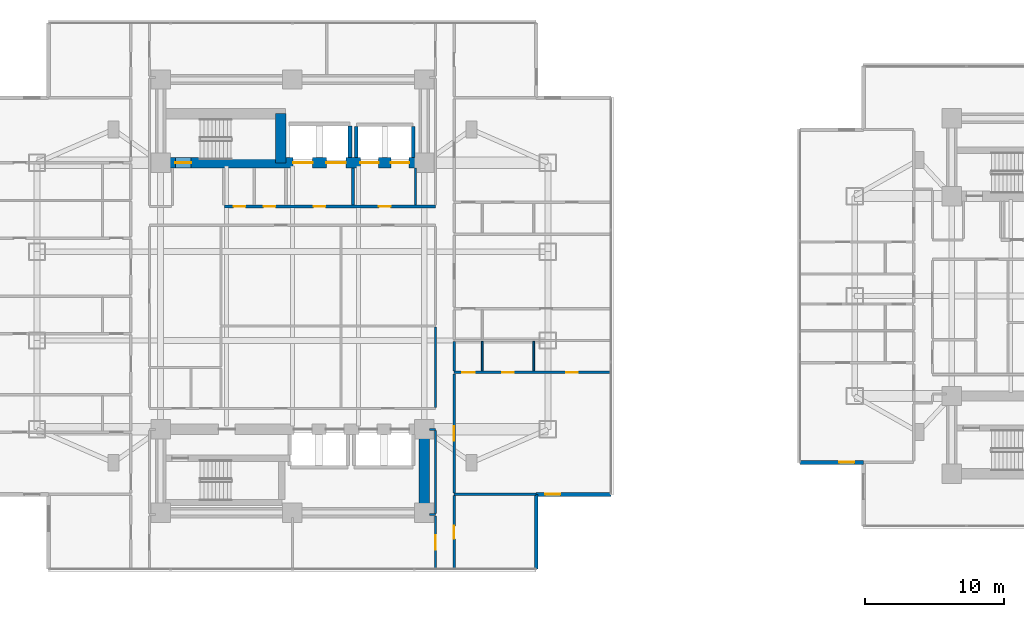
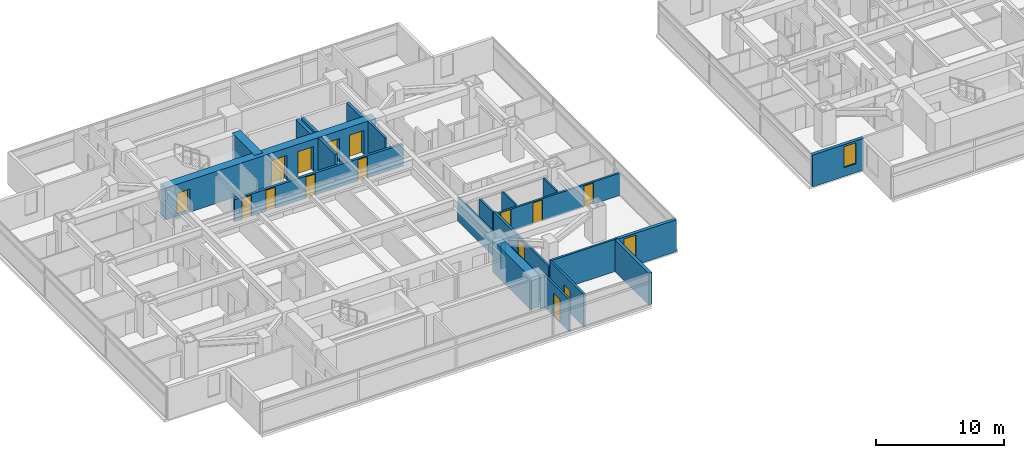
# One storey, part 16 of 26: 24 walls, 15 doors, 2 windows, 17 openings.
"""IFC4 building model written with IfcOpenShell, lengths in metres."""

from ifc_helpers import new_model, si_unit, direction, frame, frame_2d, origin, place, context, subcontext, project, spatial, rectangle, extrude, material, layer, layer_set, type_object, element, fill, save


model = new_model("IFC4")

# Units and contexts
model_context = context("Model", 3, precision=1e-05, world=origin(), true_north=direction((0.0, 1.0)))
body_context = subcontext(model_context, "Body", "Model", "MODEL_VIEW")
ifc_project = project(units=[si_unit("LENGTHUNIT", "METRE"), si_unit("AREAUNIT", "SQUARE_METRE"), si_unit("VOLUMEUNIT", "CUBIC_METRE"), si_unit("PLANEANGLEUNIT", "RADIAN"), si_unit("MASSUNIT", "GRAM", prefix="KILO")], contexts=[model_context])

# Site, building, storey
site_placement = place(None, origin())
site = spatial("IfcSite", under=ifc_project, at=site_placement, CompositionType="ELEMENT")
building_placement = place(site_placement, origin())
building = spatial("IfcBuilding", under=site, at=building_placement, Name="Mirazonda Arch Towers", CompositionType="ELEMENT")
storey_placement = place(building_placement, frame((0.0, 0.0, 45.5)))
storey = spatial("IfcBuildingStorey", under=building, at=storey_placement, Name="L12", CompositionType="ELEMENT", Elevation=45.5)

# Wall, openings, doors
ifc_material_1 = material(Name="Concrete C60/75", Category="concrete")
ifc_layer_1 = layer(ifc_material_1, 0.75, Name="WALL-CORE-750")
ifc_layer_set_1 = layer_set([ifc_layer_1], Name="Concrete C60/75")
wall_type_1 = type_object("IfcWallType", Name="WALL-CORE-750", PredefinedType="SHEAR", material=ifc_layer_set_1)
wall_1_placement = place(storey_placement, frame((11.0, 37.60009765625, 0.0), z_axis=(0.0, 0.0, 1.0), x_axis=(1.0, 0.0, 0.0)))
wall_1 = element("IfcWall", 1, at=wall_1_placement, inside=storey, type_object=wall_type_1, Name="L12 T1N-S Core Shear Wall", PredefinedType="SHEAR", context=body_context, shape_type="SweptSolid", body=[
    extrude(rectangle(XDim=19.0, YDim=0.75, at=frame_2d((9.5, 0.0))), origin(), (0.0, 0.0, 1.0), 3.06005859375),
])
opening_1_placement = place(wall_1_placement, frame((1.06005859375, 0.0, 0.0)))
opening_1 = element("IfcOpeningElement", 2, at=opening_1_placement, cuts=wall_1, Name="Opening DR-135", PredefinedType="OPENING", context=body_context, shape_type="SweptSolid", body=[
    extrude(rectangle(XDim=1.14990234375, YDim=2.199951171875, at=frame_2d((0.574951171875, 1.10009765625))), frame((0.0, 0.385009765625, 0.0), z_axis=(0.0, -1.0, 0.0), x_axis=(1.0, 0.0, 0.0)), (0.0, 0.0, 1.0), 0.77001953125),
])
opening_2_placement = place(wall_1_placement, frame((9.550048828125, 0.0, 0.0)))
opening_2 = element("IfcOpeningElement", 3, at=opening_2_placement, cuts=wall_1, Name="Opening LD-112", PredefinedType="OPENING", context=body_context, shape_type="SweptSolid", body=[
    extrude(rectangle(XDim=1.39990234375, YDim=2.35009765625, at=frame_2d((0.699951171875, 1.175048828125))), frame((0.0, 0.385009765625, 0.0), z_axis=(0.0, -1.0, 0.0), x_axis=(1.0, 0.0, 0.0)), (0.0, 0.0, 1.0), 0.77001953125),
])
opening_3_placement = place(wall_1_placement, frame((11.949951171875, 0.0, 0.0)))
opening_3 = element("IfcOpeningElement", 4, at=opening_3_placement, cuts=wall_1, Name="Opening LD-112", PredefinedType="OPENING", context=body_context, shape_type="SweptSolid", body=[
    extrude(rectangle(XDim=1.39990234375, YDim=2.35009765625, at=frame_2d((0.699951171875, 1.175048828125))), frame((0.0, 0.385009765625, 0.0), z_axis=(0.0, -1.0, 0.0), x_axis=(1.0, 0.0, 0.0)), (0.0, 0.0, 1.0), 0.77001953125),
])
opening_4_placement = place(wall_1_placement, frame((14.39990234375, 0.0, 0.0)))
opening_4 = element("IfcOpeningElement", 5, at=opening_4_placement, cuts=wall_1, Name="Opening LD-111", PredefinedType="OPENING", context=body_context, shape_type="SweptSolid", body=[
    extrude(rectangle(XDim=1.300048828125, YDim=2.300048828125, at=frame_2d((0.64990234375, 1.14990234375))), frame((0.0, 0.385009765625, 0.0), z_axis=(0.0, -1.0, 0.0), x_axis=(1.0, 0.0, 0.0)), (0.0, 0.0, 1.0), 0.77001953125),
])
opening_5_placement = place(wall_1_placement, frame((16.60009765625, 0.0, 0.0)))
opening_5 = element("IfcOpeningElement", 6, at=opening_5_placement, cuts=wall_1, Name="Opening LD-111", PredefinedType="OPENING", context=body_context, shape_type="SweptSolid", body=[
    extrude(rectangle(XDim=1.300048828125, YDim=2.300048828125, at=frame_2d((0.64990234375, 1.14990234375))), frame((0.0, 0.385009765625, 0.0), z_axis=(0.0, -1.0, 0.0), x_axis=(1.0, 0.0, 0.0)), (0.0, 0.0, 1.0), 0.77001953125),
])
ifc_material_2 = material(Name="Architectural Brushed Steel S355", Category="steel")
door_type_1 = type_object("IfcDoorType", Name="DOOR-LIFT-FFL-1400", OperationType="NOTDEFINED", PredefinedType="DOOR", material=ifc_material_2)
door_1_placement = place(opening_2_placement, origin())
door_1 = element("IfcDoor", 7, at=door_1_placement, inside=storey, type_object=door_type_1, Name="L12 Lift Landing Sliding Door FFL-T1", OperationType="DOUBLE_DOOR_SLIDING", OverallHeight=2.35009765625, OverallWidth=1.39990234375, PredefinedType="DOOR", context=body_context, shape_type="SweptSolid", body=[
    extrude(rectangle(XDim=1.39990234375, YDim=2.35009765625, at=frame_2d((0.699951171875, 1.175048828125))), frame((0.0, 0.02490234375, 0.0), z_axis=(0.0, -1.0, 0.0), x_axis=(1.0, 0.0, 0.0)), (0.0, 0.0, 1.0), 0.050048828125),
])
fill(opening_2, door_1)
door_2_placement = place(opening_3_placement, origin())
door_2 = element("IfcDoor", 8, at=door_2_placement, inside=storey, type_object=door_type_1, Name="L12 Lift Landing Sliding Door SVL-T1", OperationType="DOUBLE_DOOR_SLIDING", OverallHeight=2.35009765625, OverallWidth=1.39990234375, PredefinedType="DOOR", context=body_context, shape_type="SweptSolid", body=[
    extrude(rectangle(XDim=1.39990234375, YDim=2.35009765625, at=frame_2d((0.699951171875, 1.175048828125))), frame((0.0, 0.02490234375, 0.0), z_axis=(0.0, -1.0, 0.0), x_axis=(1.0, 0.0, 0.0)), (0.0, 0.0, 1.0), 0.050048828125),
])
fill(opening_3, door_2)
door_type_2 = type_object("IfcDoorType", Name="DOOR-LIFT-LAND-1300", OperationType="NOTDEFINED", PredefinedType="DOOR", material=ifc_material_2)
door_3_placement = place(opening_4_placement, origin())
door_3 = element("IfcDoor", 9, at=door_3_placement, inside=storey, type_object=door_type_2, Name="L12 Lift Landing Sliding Door PL-T1L1", OperationType="DOUBLE_DOOR_SLIDING", OverallHeight=2.300048828125, OverallWidth=1.300048828125, PredefinedType="DOOR", context=body_context, shape_type="SweptSolid", body=[
    extrude(rectangle(XDim=1.300048828125, YDim=2.300048828125, at=frame_2d((0.64990234375, 1.14990234375))), frame((0.0, 0.02490234375, 0.0), z_axis=(0.0, -1.0, 0.0), x_axis=(1.0, 0.0, 0.0)), (0.0, 0.0, 1.0), 0.050048828125),
])
fill(opening_4, door_3)
door_4_placement = place(opening_5_placement, origin())
door_4 = element("IfcDoor", 10, at=door_4_placement, inside=storey, type_object=door_type_2, Name="L12 Lift Landing Sliding Door PL-T1L2", OperationType="DOUBLE_DOOR_SLIDING", OverallHeight=2.300048828125, OverallWidth=1.300048828125, PredefinedType="DOOR", context=body_context, shape_type="SweptSolid", body=[
    extrude(rectangle(XDim=1.300048828125, YDim=2.300048828125, at=frame_2d((0.64990234375, 1.14990234375))), frame((0.0, 0.02490234375, 0.0), z_axis=(0.0, -1.0, 0.0), x_axis=(1.0, 0.0, 0.0)), (0.0, 0.0, 1.0), 0.050048828125),
])
fill(opening_5, door_4)
door_type_3 = type_object("IfcDoorType", Name="DOOR-STAIR-FD90-1150", OperationType="NOTDEFINED", PredefinedType="DOOR", material=ifc_material_2)
door_5_placement = place(opening_1_placement, origin())
door_5 = element("IfcDoor", 11, at=door_5_placement, inside=storey, type_object=door_type_3, Name="L12 Protected Exit Stair North Door", OperationType="SINGLE_SWING_RIGHT", OverallHeight=2.199951171875, OverallWidth=1.14990234375, PredefinedType="DOOR", context=body_context, shape_type="SweptSolid", body=[
    extrude(rectangle(XDim=1.14990234375, YDim=2.199951171875, at=frame_2d((0.574951171875, 1.10009765625))), frame((0.0, 0.02490234375, 0.0), z_axis=(0.0, -1.0, 0.0), x_axis=(1.0, 0.0, 0.0)), (0.0, 0.0, 1.0), 0.050048828125),
])
fill(opening_1, door_5)

# Walls
wall_2_placement = place(storey_placement, frame((19.64990234375, 37.60009765625, 0.0), z_axis=(0.0, 0.0, 1.0), x_axis=(0.0, 1.0, 0.0)))
element("IfcWall", 12, at=wall_2_placement, inside=storey, type_object=wall_type_1, Name="L12 T1N-STE Core Shear Wall", PredefinedType="SHEAR", context=body_context, shape_type="SweptSolid", body=[
    extrude(rectangle(XDim=3.54296875, YDim=0.75, at=frame_2d((1.771484375, 0.0))), origin(), (0.0, 0.0, 1.0), 3.06005859375),
])
wall_3_placement = place(storey_placement, frame((30.0, 12.39990234375, 0.0), z_axis=(0.0, 0.0, 1.0), x_axis=(0.0, 1.0, 0.0)))
element("IfcWall", 13, at=wall_3_placement, inside=storey, type_object=wall_type_1, Name="L12 T1S-E Core Shear Wall", PredefinedType="SHEAR", context=body_context, shape_type="SweptSolid", body=[
    extrude(rectangle(XDim=6.0, YDim=0.75, at=frame_2d((3.0, 0.0))), origin(), (0.0, 0.0, 1.0), 3.06005859375),
])

# Wall, opening, window
ifc_material_3 = material(Name="Precast Concrete C40/50", Category="concrete")
ifc_layer_2 = layer(ifc_material_3, 0.280029296875, Name="WALL-EXT-WALL-280")
ifc_layer_set_2 = layer_set([ifc_layer_2], Name="Precast Concrete C40/50")
wall_type_2 = type_object("IfcWallType", Name="WALL-EXT-WALL-280", PredefinedType="SOLIDWALL", material=ifc_layer_set_2)
wall_4_placement = place(storey_placement, frame((38.06005859375, 13.714111328125, 0.0), z_axis=(0.0, 0.0, 1.0), x_axis=(1.0, 0.0, 0.0)))
wall_4 = element("IfcWall", 14, at=wall_4_placement, inside=storey, type_object=wall_type_2, Name="L12 T1 Corner Notch Return Wall WL-L12-T1-CSE1", PredefinedType="SOLIDWALL", context=body_context, shape_type="SweptSolid", body=[
    extrude(rectangle(XDim=5.3798828125, YDim=0.280029296875, at=frame_2d((2.68994140625, 0.0))), origin(), (0.0, 0.0, 1.0), 3.0400390625),
])
opening_6_placement = place(wall_4_placement, frame((0.64990234375, 0.0, 0.85009765625)))
opening_6 = element("IfcOpeningElement", 15, at=opening_6_placement, cuts=wall_4, Name="Opening WN-108", PredefinedType="OPENING", context=body_context, shape_type="SweptSolid", body=[
    extrude(rectangle(XDim=1.10009765625, YDim=2.0, at=frame_2d((0.550048828125, 1.0))), frame((0.0, 0.14990234375, 0.0), z_axis=(0.0, -1.0, 0.0), x_axis=(1.0, 0.0, 0.0)), (0.0, 0.0, 1.0), 0.300048828125),
])
ifc_material_4 = material(Name="Insulated Low-E Solar Glass", Category="glass")
window_type = type_object("IfcWindowType", Name="WIN-NOTCH-1100x2000", PartitioningType="SINGLE_PANEL", PredefinedType="WINDOW", material=ifc_material_4)
window_1_placement = place(opening_6_placement, origin())
window_1 = element("IfcWindow", 16, at=window_1_placement, inside=storey, type_object=window_type, Name="L12 Punched Facade Window WN-L12-T1-CSE1", OverallHeight=2.0, OverallWidth=1.10009765625, PartitioningType="SINGLE_PANEL", PredefinedType="WINDOW", context=body_context, shape_type="SweptSolid", body=[
    extrude(rectangle(XDim=1.10009765625, YDim=2.0, at=frame_2d((0.550048828125, 1.0))), frame((0.0, 0.030029296875, 0.0), z_axis=(0.0, -1.0, 0.0), x_axis=(1.0, 0.0, 0.0)), (0.0, 0.0, 1.0), 0.06005859375),
])
fill(opening_6, window_1)

# Wall
wall_5_placement = place(storey_placement, frame((38.06005859375, 8.333984375, 0.0), z_axis=(0.0, 0.0, 1.0), x_axis=(0.0, 1.0, 0.0)))
element("IfcWall", 17, at=wall_5_placement, inside=storey, type_object=wall_type_2, Name="L12 T1 Corner Notch Return Wall WL-L12-T1-CSE2", PredefinedType="SOLIDWALL", context=body_context, shape_type="SweptSolid", body=[
    extrude(rectangle(XDim=5.380126953125, YDim=0.280029296875, at=frame_2d((2.68994140625, 0.0))), origin(), (0.0, 0.0, 1.0), 3.0400390625),
])

# Wall, opening, window
wall_6_placement = place(storey_placement, frame((57.053955078125, 16.016845703125, 0.0), z_axis=(0.0, 0.0, 1.0), x_axis=(1.0, 0.0, 0.0)))
wall_6 = element("IfcWall", 18, at=wall_6_placement, inside=storey, type_object=wall_type_2, Name="L12 T2 Corner Notch Return Wall WL-L12-T2-CSW2", PredefinedType="SOLIDWALL", context=body_context, shape_type="SweptSolid", body=[
    extrude(rectangle(XDim=4.580078125, YDim=0.280029296875, at=frame_2d((2.2900390625, 0.0))), origin(), (0.0, 0.0, 1.0), 3.0400390625),
])
opening_7_placement = place(wall_6_placement, frame((2.830078125, 0.0, 0.85009765625)))
opening_7 = element("IfcOpeningElement", 19, at=opening_7_placement, cuts=wall_6, Name="Opening WN-108", PredefinedType="OPENING", context=body_context, shape_type="SweptSolid", body=[
    extrude(rectangle(XDim=1.10009765625, YDim=2.0, at=frame_2d((0.550048828125, 1.0))), frame((0.0, 0.14990234375, 0.0), z_axis=(0.0, -1.0, 0.0), x_axis=(1.0, 0.0, 0.0)), (0.0, 0.0, 1.0), 0.300048828125),
])
window_2_placement = place(opening_7_placement, origin())
window_2 = element("IfcWindow", 20, at=window_2_placement, inside=storey, type_object=window_type, Name="L12 Punched Facade Window WN-L12-T2-CSW2", OverallHeight=2.0, OverallWidth=1.10009765625, PartitioningType="SINGLE_PANEL", PredefinedType="WINDOW", context=body_context, shape_type="SweptSolid", body=[
    extrude(rectangle(XDim=1.10009765625, YDim=2.0, at=frame_2d((0.550048828125, 1.0))), frame((0.0, 0.030029296875, 0.0), z_axis=(0.0, -1.0, 0.0), x_axis=(1.0, 0.0, 0.0)), (0.0, 0.0, 1.0), 0.06005859375),
])
fill(opening_7, window_2)

# Wall, openings, doors
ifc_material_5 = material(Name="Concrete C40/50", Category="concrete")
ifc_layer_3 = layer(ifc_material_5, 0.219970703125, Name="WALL-FFL-220")
ifc_layer_set_3 = layer_set([ifc_layer_3], Name="Concrete C40/50")
wall_type_3 = type_object("IfcWallType", Name="WALL-FFL-220", PredefinedType="SOLIDWALL", material=ifc_layer_set_3)
wall_7_placement = place(storey_placement, frame((15.590087890625, 34.449951171875, 0.0), z_axis=(0.0, 0.0, 1.0), x_axis=(1.0, 0.0, 0.0)))
wall_7 = element("IfcWall", 21, at=wall_7_placement, inside=storey, type_object=wall_type_3, Name="L12 Interior Partition 047", PredefinedType="SOLIDWALL", context=body_context, shape_type="SweptSolid", body=[
    extrude(rectangle(XDim=15.2099609375, YDim=0.219970703125, at=frame_2d((7.60498046875, 0.0))), origin(), (0.0, 0.0, 1.0), 2.10400390625),
])
opening_8_placement = place(wall_7_placement, frame((6.43505859375, 0.0, 0.0)))
opening_8 = element("IfcOpeningElement", 22, at=opening_8_placement, cuts=wall_7, Name="Opening DR-128", PredefinedType="OPENING", context=body_context, shape_type="SweptSolid", body=[
    extrude(rectangle(XDim=0.85009765625, YDim=2.010009765625, at=frame_2d((0.425048828125, 1.0048828125))), frame((0.0, 0.119873046875, 0.0), z_axis=(0.0, -1.0, 0.0), x_axis=(1.0, 0.0, 0.0)), (0.0, 0.0, 1.0), 0.239990234375),
])
opening_9_placement = place(wall_7_placement, frame((11.135009765625, 0.0, 0.0)))
opening_9 = element("IfcOpeningElement", 23, at=opening_9_placement, cuts=wall_7, Name="Opening DR-128", PredefinedType="OPENING", context=body_context, shape_type="SweptSolid", body=[
    extrude(rectangle(XDim=0.85009765625, YDim=2.010009765625, at=frame_2d((0.425048828125, 1.0048828125))), frame((0.0, 0.119873046875, 0.0), z_axis=(0.0, -1.0, 0.0), x_axis=(1.0, 0.0, 0.0)), (0.0, 0.0, 1.0), 0.239990234375),
])
opening_10_placement = place(wall_7_placement, frame((0.675048828125, 0.0, 0.0)))
opening_10 = element("IfcOpeningElement", 24, at=opening_10_placement, cuts=wall_7, Name="Opening DR-128", PredefinedType="OPENING", context=body_context, shape_type="SweptSolid", body=[
    extrude(rectangle(XDim=0.85009765625, YDim=2.010009765625, at=frame_2d((0.425048828125, 1.0048828125))), frame((0.0, 0.119873046875, 0.0), z_axis=(0.0, -1.0, 0.0), x_axis=(1.0, 0.0, 0.0)), (0.0, 0.0, 1.0), 0.239990234375),
])
opening_11_placement = place(wall_7_placement, frame((2.8349609375, 0.0, 0.0)))
opening_11 = element("IfcOpeningElement", 25, at=opening_11_placement, cuts=wall_7, Name="Opening DR-128", PredefinedType="OPENING", context=body_context, shape_type="SweptSolid", body=[
    extrude(rectangle(XDim=0.85009765625, YDim=2.010009765625, at=frame_2d((0.425048828125, 1.0048828125))), frame((0.0, 0.119873046875, 0.0), z_axis=(0.0, -1.0, 0.0), x_axis=(1.0, 0.0, 0.0)), (0.0, 0.0, 1.0), 0.239990234375),
])
door_type_4 = type_object("IfcDoorType", Name="DOOR-RISER-FD60-850", OperationType="NOTDEFINED", PredefinedType="DOOR", material=ifc_material_2)
door_6_placement = place(opening_8_placement, origin())
door_6 = element("IfcDoor", 26, at=door_6_placement, inside=storey, type_object=door_type_4, Name="L12 Firefighting Lift Lobby Door", OperationType="SINGLE_SWING_LEFT", OverallHeight=2.010009765625, OverallWidth=0.85009765625, PredefinedType="DOOR", context=body_context, shape_type="SweptSolid", body=[
    extrude(rectangle(XDim=0.85009765625, YDim=2.010009765625, at=frame_2d((0.425048828125, 1.0048828125))), frame((0.0, 0.02490234375, 0.0), z_axis=(0.0, -1.0, 0.0), x_axis=(1.0, 0.0, 0.0)), (0.0, 0.0, 1.0), 0.050048828125),
])
fill(opening_8, door_6)
door_7_placement = place(opening_9_placement, origin())
door_7 = element("IfcDoor", 27, at=door_7_placement, inside=storey, type_object=door_type_4, Name="L12 Passenger Lift Lobby North Door", OperationType="SINGLE_SWING_RIGHT", OverallHeight=2.010009765625, OverallWidth=0.85009765625, PredefinedType="DOOR", context=body_context, shape_type="SweptSolid", body=[
    extrude(rectangle(XDim=0.85009765625, YDim=2.010009765625, at=frame_2d((0.425048828125, 1.0048828125))), frame((0.0, 0.02490234375, 0.0), z_axis=(0.0, -1.0, 0.0), x_axis=(1.0, 0.0, 0.0)), (0.0, 0.0, 1.0), 0.050048828125),
])
fill(opening_9, door_7)
door_8_placement = place(opening_10_placement, origin())
door_8 = element("IfcDoor", 28, at=door_8_placement, inside=storey, type_object=door_type_4, Name="L12 Electrical Room Door", OperationType="SINGLE_SWING_LEFT", OverallHeight=2.010009765625, OverallWidth=0.85009765625, PredefinedType="DOOR", context=body_context, shape_type="SweptSolid", body=[
    extrude(rectangle(XDim=0.85009765625, YDim=2.010009765625, at=frame_2d((0.425048828125, 1.0048828125))), frame((0.0, 0.02490234375, 0.0), z_axis=(0.0, -1.0, 0.0), x_axis=(1.0, 0.0, 0.0)), (0.0, 0.0, 1.0), 0.050048828125),
])
fill(opening_10, door_8)
door_9_placement = place(opening_11_placement, origin())
door_9 = element("IfcDoor", 29, at=door_9_placement, inside=storey, type_object=door_type_4, Name="L12 Cleaners & Housekeeping Store Door", OperationType="SINGLE_SWING_RIGHT", OverallHeight=2.010009765625, OverallWidth=0.85009765625, PredefinedType="DOOR", context=body_context, shape_type="SweptSolid", body=[
    extrude(rectangle(XDim=0.85009765625, YDim=2.010009765625, at=frame_2d((0.425048828125, 1.0048828125))), frame((0.0, 0.02490234375, 0.0), z_axis=(0.0, -1.0, 0.0), x_axis=(1.0, 0.0, 0.0)), (0.0, 0.0, 1.0), 0.050048828125),
])
fill(opening_11, door_9)

# Walls
wall_8_placement = place(storey_placement, frame((24.875, 34.570068359375, 0.0), z_axis=(0.0, 0.0, 1.0), x_axis=(0.0, 1.0, 0.0)))
element("IfcWall", 30, at=wall_8_placement, inside=storey, type_object=wall_type_3, Name="L12 Interior Partition 103", PredefinedType="SOLIDWALL", context=body_context, shape_type="SweptSolid", body=[
    extrude(rectangle(XDim=2.659912109375, YDim=0.219970703125, at=frame_2d((1.330078125, 0.0))), origin(), (0.0, 0.0, 1.0), 3.06005859375),
])
ifc_material_6 = material(Name="Fire-Rated Gypsum Stud Partition")
ifc_layer_4 = layer(ifc_material_6, 0.14990234375, Name="WALL-PART-CORR-150")
ifc_layer_set_4 = layer_set([ifc_layer_4], Name="Fire-Rated Gypsum Stud Partition")
wall_type_4 = type_object("IfcWallType", Name="WALL-PART-CORR-150", PredefinedType="PARTITIONING", material=ifc_layer_set_4)
wall_9_placement = place(storey_placement, frame((30.3701171875, 12.25, 0.0), z_axis=(0.0, 0.0, 1.0), x_axis=(1.0, 0.0, 0.0)))
element("IfcWall", 31, at=wall_9_placement, inside=storey, type_object=wall_type_4, Name="L12 Interior Partition 002", PredefinedType="PARTITIONING", context=body_context, shape_type="SweptSolid", body=[
    extrude(rectangle(XDim=0.429931640625, YDim=0.14990234375, at=frame_2d((0.21484375, 0.0))), origin(), (0.0, 0.0, 1.0), 3.06005859375),
])
wall_10_placement = place(storey_placement, frame((30.3701171875, 18.39990234375, 0.0), z_axis=(0.0, 0.0, 1.0), x_axis=(1.0, 0.0, 0.0)))
element("IfcWall", 32, at=wall_10_placement, inside=storey, type_object=wall_type_4, Name="L12 Interior Partition 014", PredefinedType="PARTITIONING", context=body_context, shape_type="SweptSolid", body=[
    extrude(rectangle(XDim=0.429931640625, YDim=0.14990234375, at=frame_2d((0.21484375, 0.0))), origin(), (0.0, 0.0, 1.0), 2.43603515625),
])
wall_11_placement = place(storey_placement, frame((29.35009765625, 34.570068359375, 0.0), z_axis=(0.0, 0.0, 1.0), x_axis=(0.0, 1.0, 0.0)))
element("IfcWall", 33, at=wall_11_placement, inside=storey, type_object=wall_type_4, Name="L12 Interior Partition 106", PredefinedType="PARTITIONING", context=body_context, shape_type="SweptSolid", body=[
    extrude(rectangle(XDim=2.659912109375, YDim=0.14990234375, at=frame_2d((1.330078125, 0.0))), origin(), (0.0, 0.0, 1.0), 3.06005859375),
])

# Wall, opening, door
wall_12_placement = place(storey_placement, frame((30.800048828125, 8.333984375, 0.0), z_axis=(0.0, 0.0, 1.0), x_axis=(0.0, 1.0, 0.0)))
wall_12 = element("IfcWall", 34, at=wall_12_placement, inside=storey, type_object=wall_type_4, Name="L12 Interior Partition 108", PredefinedType="PARTITIONING", context=body_context, shape_type="SweptSolid", body=[
    extrude(rectangle(XDim=3.8310546875, YDim=0.14990234375, at=frame_2d((1.91552734375, 0.0))), origin(), (0.0, 0.0, 1.0), 3.06005859375),
])
opening_12_placement = place(wall_12_placement, frame((1.390380859375, 0.0, 0.0)))
opening_12 = element("IfcOpeningElement", 35, at=opening_12_placement, cuts=wall_12, Name="Opening DR-121", PredefinedType="OPENING", context=body_context, shape_type="SweptSolid", body=[
    extrude(rectangle(XDim=1.050048828125, YDim=2.199951171875, at=frame_2d((0.52490234375, 1.10009765625))), frame((0.0, 0.0849609375, 0.0), z_axis=(0.0, -1.0, 0.0), x_axis=(1.0, 0.0, 0.0)), (0.0, 0.0, 1.0), 0.169921875),
])
door_type_5 = type_object("IfcDoorType", Name="DOOR-SUITE-FD60-1050", OperationType="NOTDEFINED", PredefinedType="DOOR", material=ifc_material_2)
door_10_placement = place(opening_12_placement, origin())
door_10 = element("IfcDoor", 36, at=door_10_placement, inside=storey, type_object=door_type_5, Name="L12 South Panoramic Study East Door", OperationType="SINGLE_SWING_RIGHT", OverallHeight=2.199951171875, OverallWidth=1.050048828125, PredefinedType="DOOR", context=body_context, shape_type="SweptSolid", body=[
    extrude(rectangle(XDim=1.050048828125, YDim=2.199951171875, at=frame_2d((0.52490234375, 1.10009765625))), frame((0.0, 0.02490234375, 0.0), z_axis=(0.0, -1.0, 0.0), x_axis=(1.0, 0.0, 0.0)), (0.0, 0.0, 1.0), 0.050048828125),
])
fill(opening_12, door_10)

# Walls
wall_13_placement = place(storey_placement, frame((30.800048828125, 12.3349609375, 0.0), z_axis=(0.0, 0.0, 1.0), x_axis=(0.0, 1.0, 0.0)))
element("IfcWall", 37, at=wall_13_placement, inside=storey, type_object=wall_type_4, Name="L12 Interior Partition 109", PredefinedType="PARTITIONING", context=body_context, shape_type="SweptSolid", body=[
    extrude(rectangle(XDim=5.97998046875, YDim=0.14990234375, at=frame_2d((2.989990234375, 0.0))), origin(), (0.0, 0.0, 1.0), 2.43603515625),
])
wall_14_placement = place(storey_placement, frame((30.800048828125, 19.985107421875, 0.0), z_axis=(0.0, 0.0, 1.0), x_axis=(0.0, 1.0, 0.0)))
element("IfcWall", 38, at=wall_14_placement, inside=storey, type_object=wall_type_4, Name="L12 Interior Partition 110", PredefinedType="PARTITIONING", context=body_context, shape_type="SweptSolid", body=[
    extrude(rectangle(XDim=5.769775390625, YDim=0.14990234375, at=frame_2d((2.884765625, 0.0))), origin(), (0.0, 0.0, 1.0), 2.279052734375),
])
ifc_material_7 = material(Name="Fire-Rated Gypsum Twin-Stud Assembly")
ifc_layer_5 = layer(ifc_material_7, 0.179931640625, Name="WALL-PART-DEMISE-180")
ifc_layer_set_5 = layer_set([ifc_layer_5], Name="Fire-Rated Gypsum Twin-Stud Assembly")
wall_type_5 = type_object("IfcWallType", Name="WALL-PART-DEMISE-180", PredefinedType="PARTITIONING", material=ifc_layer_set_5)
wall_15_placement = place(storey_placement, frame((32.139892578125, 13.714111328125, 0.0), z_axis=(0.0, 0.0, 1.0), x_axis=(1.0, 0.0, 0.0)))
element("IfcWall", 39, at=wall_15_placement, inside=storey, type_object=wall_type_5, Name="L12 Interior Partition 005", PredefinedType="PARTITIONING", context=body_context, shape_type="SweptSolid", body=[
    extrude(rectangle(XDim=5.900146484375, YDim=0.179931640625, at=frame_2d((2.9501953125, 0.0))), origin(), (0.0, 0.0, 1.0), 3.06005859375),
])

# Wall, openings, doors
wall_16_placement = place(storey_placement, frame((32.139892578125, 22.5, 0.0), z_axis=(0.0, 0.0, 1.0), x_axis=(1.0, 0.0, 0.0)))
wall_16 = element("IfcWall", 40, at=wall_16_placement, inside=storey, type_object=wall_type_5, Name="L12 Interior Partition 022", PredefinedType="PARTITIONING", context=body_context, shape_type="SweptSolid", body=[
    extrude(rectangle(XDim=11.300048828125, YDim=0.179931640625, at=frame_2d((5.64990234375, 0.0))), origin(), (0.0, 0.0, 1.0), 2.125),
])
opening_13_placement = place(wall_16_placement, frame((8.076904296875, 0.0, 0.0)))
opening_13 = element("IfcOpeningElement", 41, at=opening_13_placement, cuts=wall_16, Name="Opening DR-128", PredefinedType="OPENING", context=body_context, shape_type="SweptSolid", body=[
    extrude(rectangle(XDim=0.85009765625, YDim=2.010009765625, at=frame_2d((0.425048828125, 1.0048828125))), frame((0.0, 0.099853515625, 0.0), z_axis=(0.0, -1.0, 0.0), x_axis=(1.0, 0.0, 0.0)), (0.0, 0.0, 1.0), 0.199951171875),
])
opening_14_placement = place(wall_16_placement, frame((3.467041015625, 0.0, 0.0)))
opening_14 = element("IfcOpeningElement", 42, at=opening_14_placement, cuts=wall_16, Name="Opening DR-128", PredefinedType="OPENING", context=body_context, shape_type="SweptSolid", body=[
    extrude(rectangle(XDim=0.85009765625, YDim=2.010009765625, at=frame_2d((0.425048828125, 1.0048828125))), frame((0.0, 0.099853515625, 0.0), z_axis=(0.0, -1.0, 0.0), x_axis=(1.0, 0.0, 0.0)), (0.0, 0.0, 1.0), 0.199951171875),
])
opening_15_placement = place(wall_16_placement, frame((0.590087890625, 0.0, 0.0)))
opening_15 = element("IfcOpeningElement", 43, at=opening_15_placement, cuts=wall_16, Name="Opening DR-120", PredefinedType="OPENING", context=body_context, shape_type="SweptSolid", body=[
    extrude(rectangle(XDim=0.89990234375, YDim=2.10009765625, at=frame_2d((0.449951171875, 1.050048828125))), frame((0.0, 0.099853515625, 0.0), z_axis=(0.0, -1.0, 0.0), x_axis=(1.0, 0.0, 0.0)), (0.0, 0.0, 1.0), 0.199951171875),
])
door_11_placement = place(opening_13_placement, origin())
door_11 = element("IfcDoor", 44, at=door_11_placement, inside=storey, type_object=door_type_4, Name="L12 Residence 1 Principal Bedroom Door", OperationType="SINGLE_SWING_LEFT", OverallHeight=2.010009765625, OverallWidth=0.85009765625, PredefinedType="DOOR", context=body_context, shape_type="SweptSolid", body=[
    extrude(rectangle(XDim=0.85009765625, YDim=2.010009765625, at=frame_2d((0.425048828125, 1.0048828125))), frame((0.0, 0.02490234375, 0.0), z_axis=(0.0, -1.0, 0.0), x_axis=(1.0, 0.0, 0.0)), (0.0, 0.0, 1.0), 0.050048828125),
])
fill(opening_13, door_11)
door_12_placement = place(opening_14_placement, origin())
door_12 = element("IfcDoor", 45, at=door_12_placement, inside=storey, type_object=door_type_4, Name="L12 Residence 1 Fitted Kitchen Door", OperationType="SINGLE_SWING_RIGHT", OverallHeight=2.010009765625, OverallWidth=0.85009765625, PredefinedType="DOOR", context=body_context, shape_type="SweptSolid", body=[
    extrude(rectangle(XDim=0.85009765625, YDim=2.010009765625, at=frame_2d((0.425048828125, 1.0048828125))), frame((0.0, 0.02490234375, 0.0), z_axis=(0.0, -1.0, 0.0), x_axis=(1.0, 0.0, 0.0)), (0.0, 0.0, 1.0), 0.050048828125),
])
fill(opening_14, door_12)
door_type_6 = type_object("IfcDoorType", Name="DOOR-WC-900", OperationType="NOTDEFINED", PredefinedType="DOOR", material=ifc_material_2)
door_13_placement = place(opening_15_placement, origin())
door_13 = element("IfcDoor", 46, at=door_13_placement, inside=storey, type_object=door_type_6, Name="L12 Residence 1 Bathroom Door", OperationType="SINGLE_SWING_LEFT", OverallHeight=2.10009765625, OverallWidth=0.89990234375, PredefinedType="DOOR", context=body_context, shape_type="SweptSolid", body=[
    extrude(rectangle(XDim=0.89990234375, YDim=2.10009765625, at=frame_2d((0.449951171875, 1.050048828125))), frame((0.0, 0.02490234375, 0.0), z_axis=(0.0, -1.0, 0.0), x_axis=(1.0, 0.0, 0.0)), (0.0, 0.0, 1.0), 0.050048828125),
])
fill(opening_15, door_13)

# Wall, opening, door
wall_17_placement = place(storey_placement, frame((32.139892578125, 8.333984375, 0.0), z_axis=(0.0, 0.0, 1.0), x_axis=(0.0, 1.0, 0.0)))
wall_17 = element("IfcWall", 47, at=wall_17_placement, inside=storey, type_object=wall_type_5, Name="L12 Interior Partition 114", PredefinedType="PARTITIONING", context=body_context, shape_type="SweptSolid", body=[
    extrude(rectangle(XDim=5.280029296875, YDim=0.179931640625, at=frame_2d((2.64013671875, 0.0))), origin(), (0.0, 0.0, 1.0), 3.06005859375),
])
opening_16_placement = place(wall_17_placement, frame((2.1650390625, 0.0, 0.0)))
opening_16 = element("IfcOpeningElement", 48, at=opening_16_placement, cuts=wall_17, Name="Opening DR-104", PredefinedType="OPENING", context=body_context, shape_type="SweptSolid", body=[
    extrude(rectangle(XDim=0.949951171875, YDim=2.14990234375, at=frame_2d((0.47509765625, 1.074951171875))), frame((0.0, 0.099853515625, 0.0), z_axis=(0.0, -1.0, 0.0), x_axis=(1.0, 0.0, 0.0)), (0.0, 0.0, 1.0), 0.199951171875),
])
door_type_7 = type_object("IfcDoorType", Name="DOOR-ROOM-950", OperationType="NOTDEFINED", PredefinedType="DOOR", material=ifc_material_2)
door_14_placement = place(opening_16_placement, origin())
door_14 = element("IfcDoor", 49, at=door_14_placement, inside=storey, type_object=door_type_7, Name="L12 South Panoramic Study Alcove East Door", OperationType="SINGLE_SWING_RIGHT", OverallHeight=2.14990234375, OverallWidth=0.949951171875, PredefinedType="DOOR", context=body_context, shape_type="SweptSolid", body=[
    extrude(rectangle(XDim=0.949951171875, YDim=2.14990234375, at=frame_2d((0.47509765625, 1.074951171875))), frame((0.0, 0.02490234375, 0.0), z_axis=(0.0, -1.0, 0.0), x_axis=(1.0, 0.0, 0.0)), (0.0, 0.0, 1.0), 0.050048828125),
])
fill(opening_16, door_14)

wall_18_placement = place(storey_placement, frame((32.139892578125, 13.81396484375, 0.0), z_axis=(0.0, 0.0, 1.0), x_axis=(0.0, 1.0, 0.0)))
wall_18 = element("IfcWall", 50, at=wall_18_placement, inside=storey, type_object=wall_type_5, Name="L12 Interior Partition 115", PredefinedType="PARTITIONING", context=body_context, shape_type="SweptSolid", body=[
    extrude(rectangle(XDim=8.5859375, YDim=0.179931640625, at=frame_2d((4.29296875, 0.0))), origin(), (0.0, 0.0, 1.0), 2.43603515625),
])
opening_17_placement = place(wall_18_placement, frame((3.76806640625, 0.0, 0.0)))
opening_17 = element("IfcOpeningElement", 51, at=opening_17_placement, cuts=wall_18, Name="Opening DR-121", PredefinedType="OPENING", context=body_context, shape_type="SweptSolid", body=[
    extrude(rectangle(XDim=1.050048828125, YDim=2.199951171875, at=frame_2d((0.52490234375, 1.10009765625))), frame((0.0, 0.099853515625, 0.0), z_axis=(0.0, -1.0, 0.0), x_axis=(1.0, 0.0, 0.0)), (0.0, 0.0, 1.0), 0.199951171875),
])
door_15_placement = place(opening_17_placement, origin())
door_15 = element("IfcDoor", 52, at=door_15_placement, inside=storey, type_object=door_type_5, Name="L12 Penthouse Residence 1 Living & Dining Salon Door", OperationType="SINGLE_SWING_RIGHT", OverallHeight=2.199951171875, OverallWidth=1.050048828125, PredefinedType="DOOR", context=body_context, shape_type="SweptSolid", body=[
    extrude(rectangle(XDim=1.050048828125, YDim=2.199951171875, at=frame_2d((0.52490234375, 1.10009765625))), frame((0.0, 0.02490234375, 0.0), z_axis=(0.0, -1.0, 0.0), x_axis=(1.0, 0.0, 0.0)), (0.0, 0.0, 1.0), 0.050048828125),
])
fill(opening_17, door_15)

# Walls
wall_19_placement = place(storey_placement, frame((32.139892578125, 22.60009765625, 0.0), z_axis=(0.0, 0.0, 1.0), x_axis=(0.0, 1.0, 0.0)))
element("IfcWall", 53, at=wall_19_placement, inside=storey, type_object=wall_type_5, Name="L12 Interior Partition 116", PredefinedType="PARTITIONING", context=body_context, shape_type="SweptSolid", body=[
    extrude(rectangle(XDim=2.12744140625, YDim=0.179931640625, at=frame_2d((1.063720703125, 0.0))), origin(), (0.0, 0.0, 1.0), 2.279052734375),
])
ifc_material_8 = material(Name="Acoustic Fire-Rated Gypsum Partition")
ifc_layer_6 = layer(ifc_material_8, 0.125, Name="WALL-PART-UNIT-125")
ifc_layer_set_6 = layer_set([ifc_layer_6], Name="Acoustic Fire-Rated Gypsum Partition")
wall_type_6 = type_object("IfcWallType", Name="WALL-PART-UNIT-125", PredefinedType="PARTITIONING", material=ifc_layer_set_6)
for number, where, z_axis, x_axis, name in (
    (54, (34.179931640625, 22.60009765625, 0.0), (0.0, 0.0, 1.0), (0.0, 1.0, 0.0), "L12 Interior Partition 122"),
    (55, (37.884033203125, 22.60009765625, 0.0), (0.0, 0.0, 1.0), (0.0, 1.0, 0.0), "L12 Interior Partition 125"),
):
    element("IfcWall", number, at=place(storey_placement, frame(where, z_axis=z_axis, x_axis=x_axis)), inside=storey, type_object=wall_type_6, Name=name, PredefinedType="PARTITIONING", context=body_context, shape_type="SweptSolid", body=[
        extrude(rectangle(XDim=2.12744140625, YDim=0.125, at=frame_2d((1.063720703125, 0.0))), origin(), (0.0, 0.0, 1.0), 2.279052734375),
    ])
ifc_layer_7 = layer(ifc_material_5, 0.25, Name="WALL-SHAFT-250")
ifc_layer_set_7 = layer_set([ifc_layer_7], Name="Concrete C40/50")
wall_type_7 = type_object("IfcWallType", Name="WALL-SHAFT-250", PredefinedType="SOLIDWALL", material=ifc_layer_set_7)
for number, where, z_axis, x_axis, name in (
    (56, (25.10009765625, 37.969970703125, 0.0), (0.0, 0.0, 1.0), (0.0, 1.0, 0.0), "L12 Interior Partition 104"),
    (57, (29.199951171875, 37.969970703125, 0.0), (0.0, 0.0, 1.0), (0.0, 1.0, 0.0), "L12 Interior Partition 107"),
):
    element("IfcWall", number, at=place(storey_placement, frame(where, z_axis=z_axis, x_axis=x_axis)), inside=storey, type_object=wall_type_7, Name=name, PredefinedType="SOLIDWALL", context=body_context, shape_type="SweptSolid", body=[
        extrude(rectangle(XDim=2.2451171875, YDim=0.25, at=frame_2d((1.12255859375, 0.0))), origin(), (0.0, 0.0, 1.0), 3.06005859375),
    ])
ifc_material_9 = material(Name="Concrete C50/60", Category="concrete")
ifc_layer_8 = layer(ifc_material_9, 0.300048828125, Name="WALL-SHAFT-300")
ifc_layer_set_8 = layer_set([ifc_layer_8], Name="Concrete C50/60")
wall_type_8 = type_object("IfcWallType", Name="WALL-SHAFT-300", PredefinedType="SOLIDWALL", material=ifc_layer_set_8)
wall_20_placement = place(storey_placement, frame((24.64990234375, 37.969970703125, 0.0), z_axis=(0.0, 0.0, 1.0), x_axis=(0.0, 1.0, 0.0)))
element("IfcWall", 58, at=wall_20_placement, inside=storey, type_object=wall_type_8, Name="L12 Interior Partition 101", PredefinedType="SOLIDWALL", context=body_context, shape_type="SweptSolid", body=[
    extrude(rectangle(XDim=2.27001953125, YDim=0.300048828125, at=frame_2d((1.135009765625, 0.0))), origin(), (0.0, 0.0, 1.0), 3.06005859375),
])

save(model, "model.ifc")
